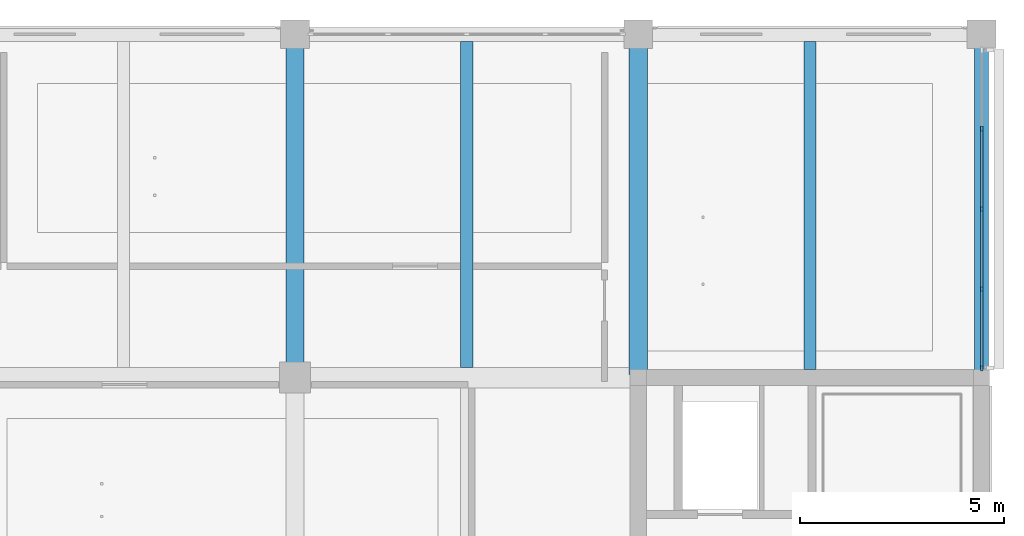
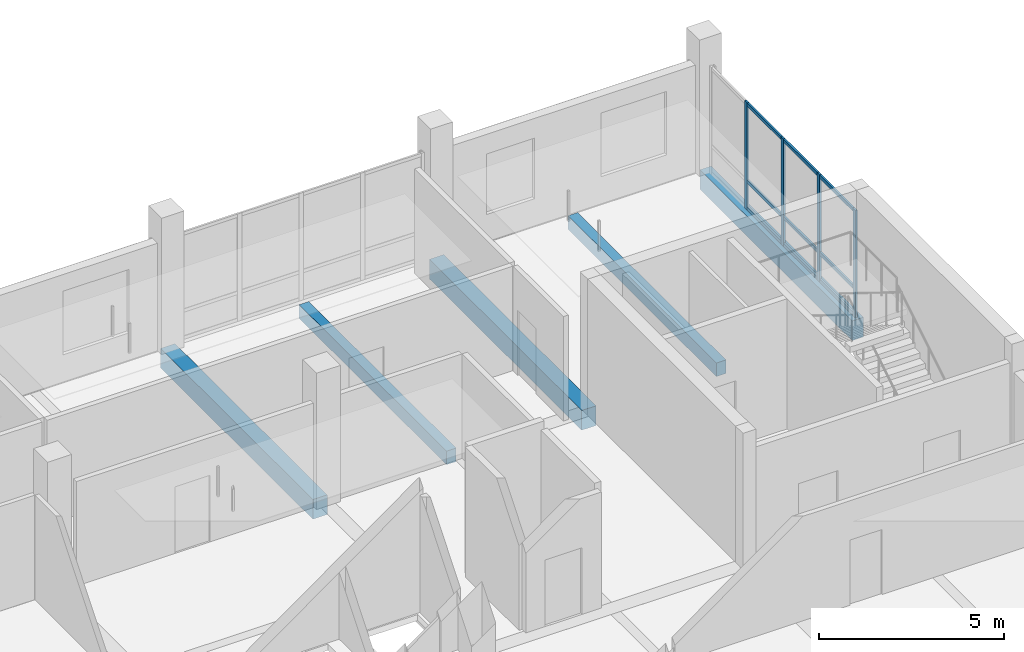
# One storey, part 7 of 35: 13 members, 5 beams, 1 element without a shape of its own.
"""IFC4 building model written with IfcOpenShell, lengths in metres."""

from ifc_helpers import new_model, si_unit, direction, frame, origin, origin_2d, place, context, subcontext, project, spatial, rectangle, extrude, material, layer, layer_set, material_profile, profile_set, type_object, element, aggregate, save


model = new_model("IFC4")

# Units and contexts
model_context = context("Model", 3, precision=1e-05, world=origin(), true_north=direction((0.0, 1.0)))
body_context = subcontext(model_context, "Body", "Model", "MODEL_VIEW")
ifc_project = project(units=[si_unit("LENGTHUNIT", "METRE"), si_unit("AREAUNIT", "SQUARE_METRE"), si_unit("VOLUMEUNIT", "CUBIC_METRE"), si_unit("PLANEANGLEUNIT", "RADIAN"), si_unit("MASSUNIT", "GRAM", prefix="KILO")], contexts=[model_context])

# Site, building, storey
site_placement = place(None, origin())
site = spatial("IfcSite", under=ifc_project, at=site_placement, CompositionType="ELEMENT")
building_placement = place(site_placement, origin())
building = spatial("IfcBuilding", under=site, at=building_placement, Name="Telukmera Botanical Conservatory", CompositionType="ELEMENT")
storey_placement = place(building_placement, frame((0.0, 0.0, 46.5)))
storey = spatial("IfcBuildingStorey", under=building, at=storey_placement, Name="L10", CompositionType="ELEMENT", Elevation=46.5)

# Beams
ifc_material_1 = material(Name="Concrete C40/50", Category="concrete")
ifc_material_profile_1 = material_profile(ifc_material_1, rectangle(XDim=0.449951171875, YDim=0.64990234375, at=origin_2d()), Name="RC 450x650")
ifc_profile_set_1 = profile_set([ifc_material_profile_1], Name="Concrete C40/50")
beam_type_1 = type_object("IfcBeamType", Name="Beam_B16", PredefinedType="BEAM", material=ifc_profile_set_1)
for number, where, z_axis, x_axis, name in (
    (1, (84.0, 34.47998046875, -0.324951171875), (0.0, 1.0, 0.0), (-1.0, 0.0, 0.0), "Tower Transverse Beam L10"),
    (2, (92.39990234375, 34.47998046875, -0.324951171875), (0.0, 1.0, 0.0), (-1.0, 0.0, 0.0), "Tower Transverse Beam L10"),
):
    element("IfcBeam", number, at=place(storey_placement, frame(where, z_axis=z_axis, x_axis=x_axis)), inside=storey, type_object=beam_type_1, Name=name, PredefinedType="BEAM", context=body_context, shape_type="SweptSolid", body=[
        extrude(rectangle(XDim=0.449951171875, YDim=0.64990234375, at=origin_2d()), origin(), (0.0, 0.0, 1.0), 8.239990234375),
    ])
ifc_material_profile_2 = material_profile(ifc_material_1, rectangle(XDim=0.300048828125, YDim=0.449951171875, at=origin_2d()), Name="RC 300x450")
ifc_profile_set_2 = profile_set([ifc_material_profile_2], Name="Concrete C40/50")
beam_type_2 = type_object("IfcBeamType", Name="Beam_B25", PredefinedType="JOIST", material=ifc_profile_set_2)
beam_1_placement = place(storey_placement, frame((88.199951171875, 34.64990234375, -0.22509765625), z_axis=(0.0, 1.0, 0.0), x_axis=(-1.0, 0.0, 0.0)))
element("IfcBeam", 3, at=beam_1_placement, inside=storey, type_object=beam_type_2, Name="Tower Secondary Floor Joist L10", PredefinedType="JOIST", context=body_context, shape_type="SweptSolid", body=[
    extrude(rectangle(XDim=0.300048828125, YDim=0.449951171875, at=origin_2d()), origin(), (0.0, 0.0, 1.0), 7.97509765625),
])
beam_2_placement = place(storey_placement, frame((96.60009765625, 34.60009765625, -0.22509765625), z_axis=(0.0, 1.0, 0.0), x_axis=(-1.0, 0.0, 0.0)))
element("IfcBeam", 4, at=beam_2_placement, inside=storey, type_object=beam_type_2, Name="Tower Secondary Floor Joist L10", PredefinedType="JOIST", context=body_context, shape_type="SweptSolid", body=[
    extrude(rectangle(XDim=0.300048828125, YDim=0.449951171875, at=origin_2d()), origin(), (0.0, 0.0, 1.0), 8.02490234375),
])
ifc_material_2 = material(Name="Precast concrete C40/50", Category="concrete")
ifc_material_profile_3 = material_profile(ifc_material_2, rectangle(XDim=0.35009765625, YDim=0.64990234375, at=origin_2d()), Name="PC 350x650")
ifc_profile_set_3 = profile_set([ifc_material_profile_3], Name="Precast concrete C40/50")
beam_type_3 = type_object("IfcBeamType", Name="Beam_SP3", PredefinedType="SPANDREL", material=ifc_profile_set_3)
beam_3_placement = place(storey_placement, frame((100.800048828125, 34.47998046875, -0.324951171875), z_axis=(0.0, 1.0, 0.0), x_axis=(-1.0, 0.0, 0.0)))
element("IfcBeam", 5, at=beam_3_placement, inside=storey, type_object=beam_type_3, Name="Tower Transverse Beam L10", PredefinedType="SPANDREL", context=body_context, shape_type="SweptSolid", body=[
    extrude(rectangle(XDim=0.35009765625, YDim=0.64990234375, at=origin_2d()), origin(), (0.0, 0.0, 1.0), 8.239990234375),
])

# Curtain wall, members
ifc_material_3 = material(Name="Anodised aluminium 6063-T6", Category="aluminium")
ifc_layer = layer(ifc_material_3, 0.179931640625)
ifc_layer_set = layer_set([ifc_layer], Name="Anodised aluminium 6063-T6")
curtain_wall_type = type_object("IfcCurtainWallType", Name="Tower Research Laboratory Unitised Curtain Wall", PredefinedType="USERDEFINED", material=ifc_layer_set)
curtain_wall_placement = place(storey_placement, origin())
curtain_wall = element("IfcCurtainWall", 6, at=curtain_wall_placement, inside=storey, type_object=curtain_wall_type, Name="Unitised Curtain Wall CW15 V4:L10:E4", ObjectType="UNITISED CURTAIN WALL", PredefinedType="USERDEFINED")
ifc_material_profile_4 = material_profile(ifc_material_3, rectangle(XDim=0.06005859375, YDim=0.139892578125, at=origin_2d()), Name="ALU MULL 60x140")
ifc_profile_set_4 = profile_set([ifc_material_profile_4], Name="Anodised aluminium 6063-T6")
member_type_1 = type_object("IfcMemberType", Name="Curtain Wall Extruded Mullion 60x140", PredefinedType="MULLION", material=ifc_profile_set_4)
member_1_placement = place(storey_placement, frame((100.800048828125, 34.632080078125, 0.0), z_axis=(0.0, 0.0, 1.0), x_axis=(-1.0, 0.0, 0.0)))
member_1 = element("IfcMember", 7, at=member_1_placement, type_object=member_type_1, Name="CW15 mullion 1", PredefinedType="MULLION", context=body_context, shape_type="SweptSolid", body=[
    extrude(rectangle(XDim=0.06005859375, YDim=0.139892578125, at=origin_2d()), origin(), (0.0, 0.0, 1.0), 3.550048828125),
])
member_2_placement = place(storey_placement, frame((100.800048828125, 36.5634765625, 0.0), z_axis=(0.0, 0.0, 1.0), x_axis=(-1.0, 0.0, 0.0)))
member_2 = element("IfcMember", 8, at=member_2_placement, type_object=member_type_1, Name="CW15 mullion 2", PredefinedType="MULLION", context=body_context, shape_type="SweptSolid", body=[
    extrude(rectangle(XDim=0.06005859375, YDim=0.139892578125, at=origin_2d()), origin(), (0.0, 0.0, 1.0), 3.550048828125),
])
member_3_placement = place(storey_placement, frame((100.800048828125, 38.52490234375, 0.0), z_axis=(0.0, 0.0, 1.0), x_axis=(-1.0, 0.0, 0.0)))
member_3 = element("IfcMember", 9, at=member_3_placement, type_object=member_type_1, Name="CW15 mullion 3", PredefinedType="MULLION", context=body_context, shape_type="SweptSolid", body=[
    extrude(rectangle(XDim=0.06005859375, YDim=0.139892578125, at=origin_2d()), origin(), (0.0, 0.0, 1.0), 3.550048828125),
])
member_4_placement = place(storey_placement, frame((100.800048828125, 40.486572265625, 0.0), z_axis=(0.0, 0.0, 1.0), x_axis=(-1.0, 0.0, 0.0)))
member_4 = element("IfcMember", 10, at=member_4_placement, type_object=member_type_1, Name="CW15 mullion 4", PredefinedType="MULLION", context=body_context, shape_type="SweptSolid", body=[
    extrude(rectangle(XDim=0.06005859375, YDim=0.139892578125, at=origin_2d()), origin(), (0.0, 0.0, 1.0), 3.550048828125),
])
ifc_material_profile_5 = material_profile(ifc_material_3, rectangle(XDim=0.06005859375, YDim=0.110107421875, at=origin_2d()), Name="ALU TRAN 60x110")
ifc_profile_set_5 = profile_set([ifc_material_profile_5], Name="Anodised aluminium 6063-T6")
member_type_2 = type_object("IfcMemberType", Name="Curtain Wall Extruded Transom 60x110", PredefinedType="USERDEFINED", material=ifc_profile_set_5)
member_5_placement = place(storey_placement, frame((100.800048828125, 34.662109375, 0.054931640625), z_axis=(0.0, 1.0, 0.0), x_axis=(-1.0, 0.0, 0.0)))
member_5 = element("IfcMember", 11, at=member_5_placement, type_object=member_type_2, Name="CW15 transom 1.1", ObjectType="TRANSOM", PredefinedType="USERDEFINED", context=body_context, shape_type="SweptSolid", body=[
    extrude(rectangle(XDim=0.06005859375, YDim=0.110107421875, at=origin_2d()), origin(), (0.0, 0.0, 1.0), 1.871337890625),
])
member_6_placement = place(storey_placement, frame((100.800048828125, 34.662109375, 0.949951171875), z_axis=(0.0, 1.0, 0.0), x_axis=(-1.0, 0.0, 0.0)))
member_6 = element("IfcMember", 12, at=member_6_placement, type_object=member_type_2, Name="CW15 transom 1.2", ObjectType="TRANSOM", PredefinedType="USERDEFINED", context=body_context, shape_type="SweptSolid", body=[
    extrude(rectangle(XDim=0.06005859375, YDim=0.110107421875, at=origin_2d()), origin(), (0.0, 0.0, 1.0), 1.871337890625),
])
member_7_placement = place(storey_placement, frame((100.800048828125, 34.662109375, 3.4951171875), z_axis=(0.0, 1.0, 0.0), x_axis=(-1.0, 0.0, 0.0)))
member_7 = element("IfcMember", 13, at=member_7_placement, type_object=member_type_2, Name="CW15 transom 1.3", ObjectType="TRANSOM", PredefinedType="USERDEFINED", context=body_context, shape_type="SweptSolid", body=[
    extrude(rectangle(XDim=0.06005859375, YDim=0.110107421875, at=origin_2d()), origin(), (0.0, 0.0, 1.0), 1.871337890625),
])
member_8_placement = place(storey_placement, frame((100.800048828125, 36.593505859375, 0.054931640625), z_axis=(0.0, 1.0, 0.0), x_axis=(-1.0, 0.0, 0.0)))
member_8 = element("IfcMember", 14, at=member_8_placement, type_object=member_type_2, Name="CW15 transom 2.1", ObjectType="TRANSOM", PredefinedType="USERDEFINED", context=body_context, shape_type="SweptSolid", body=[
    extrude(rectangle(XDim=0.06005859375, YDim=0.110107421875, at=origin_2d()), origin(), (0.0, 0.0, 1.0), 1.901611328125),
])
member_9_placement = place(storey_placement, frame((100.800048828125, 36.593505859375, 0.949951171875), z_axis=(0.0, 1.0, 0.0), x_axis=(-1.0, 0.0, 0.0)))
member_9 = element("IfcMember", 15, at=member_9_placement, type_object=member_type_2, Name="CW15 transom 2.2", ObjectType="TRANSOM", PredefinedType="USERDEFINED", context=body_context, shape_type="SweptSolid", body=[
    extrude(rectangle(XDim=0.06005859375, YDim=0.110107421875, at=origin_2d()), origin(), (0.0, 0.0, 1.0), 1.901611328125),
])
member_10_placement = place(storey_placement, frame((100.800048828125, 36.593505859375, 3.4951171875), z_axis=(0.0, 1.0, 0.0), x_axis=(-1.0, 0.0, 0.0)))
member_10 = element("IfcMember", 16, at=member_10_placement, type_object=member_type_2, Name="CW15 transom 2.3", ObjectType="TRANSOM", PredefinedType="USERDEFINED", context=body_context, shape_type="SweptSolid", body=[
    extrude(rectangle(XDim=0.06005859375, YDim=0.110107421875, at=origin_2d()), origin(), (0.0, 0.0, 1.0), 1.901611328125),
])
member_11_placement = place(storey_placement, frame((100.800048828125, 38.554931640625, 0.054931640625), z_axis=(0.0, 1.0, 0.0), x_axis=(-1.0, 0.0, 0.0)))
member_11 = element("IfcMember", 17, at=member_11_placement, type_object=member_type_2, Name="CW15 transom 3.1", ObjectType="TRANSOM", PredefinedType="USERDEFINED", context=body_context, shape_type="SweptSolid", body=[
    extrude(rectangle(XDim=0.06005859375, YDim=0.110107421875, at=origin_2d()), origin(), (0.0, 0.0, 1.0), 1.901611328125),
])
member_12_placement = place(storey_placement, frame((100.800048828125, 38.554931640625, 0.949951171875), z_axis=(0.0, 1.0, 0.0), x_axis=(-1.0, 0.0, 0.0)))
member_12 = element("IfcMember", 18, at=member_12_placement, type_object=member_type_2, Name="CW15 transom 3.2", ObjectType="TRANSOM", PredefinedType="USERDEFINED", context=body_context, shape_type="SweptSolid", body=[
    extrude(rectangle(XDim=0.06005859375, YDim=0.110107421875, at=origin_2d()), origin(), (0.0, 0.0, 1.0), 1.901611328125),
])
member_13_placement = place(storey_placement, frame((100.800048828125, 38.554931640625, 3.4951171875), z_axis=(0.0, 1.0, 0.0), x_axis=(-1.0, 0.0, 0.0)))
member_13 = element("IfcMember", 19, at=member_13_placement, type_object=member_type_2, Name="CW15 transom 3.3", ObjectType="TRANSOM", PredefinedType="USERDEFINED", context=body_context, shape_type="SweptSolid", body=[
    extrude(rectangle(XDim=0.06005859375, YDim=0.110107421875, at=origin_2d()), origin(), (0.0, 0.0, 1.0), 1.901611328125),
])
aggregate(curtain_wall, [member_1, member_2, member_3, member_4, member_5, member_6, member_7, member_8, member_9, member_10, member_11, member_12, member_13])

save(model, "model.ifc")
